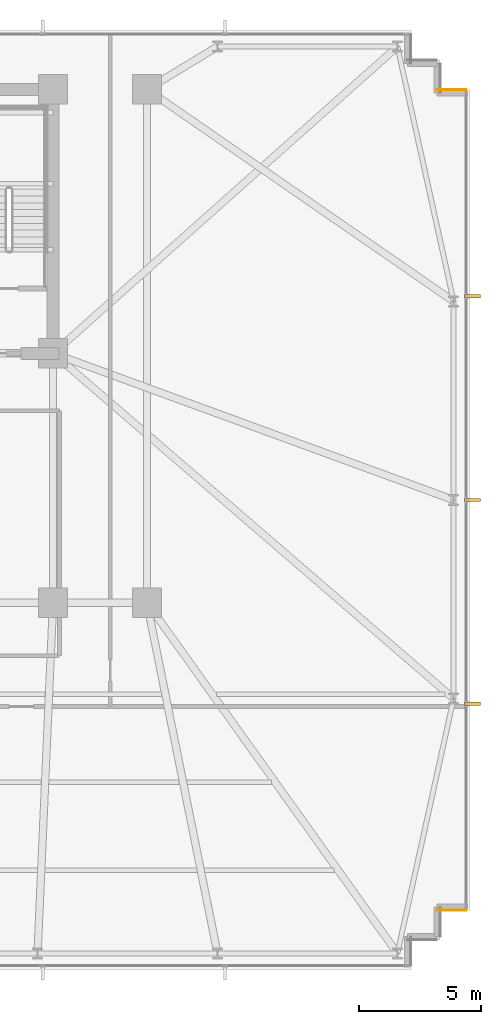
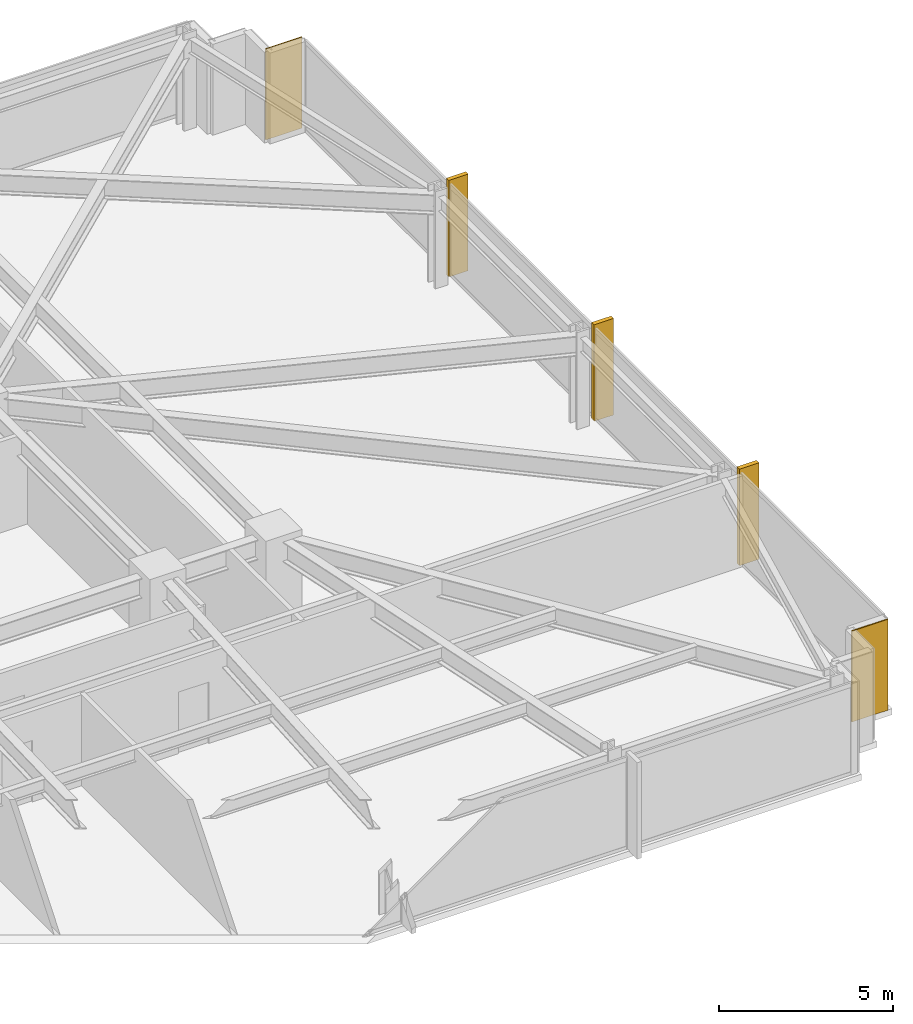
# One storey, part 32 of 32: 3 shading devices, 2 coverings.
"""IFC4 building model written with IfcOpenShell, lengths in metres."""

import ifcopenshell
import ifcopenshell.guid

model = None  # the IFC model being written
_history = None  # IfcOwnerHistory: only IFC2X3 demands one
_inside = {}  # id of a spatial element -> (the spatial element, [elements in it])
_under = {}  # id of a project, library or spatial element -> (it, [spatial elements below it])
_declared = {}  # id of a project -> (the project, [libraries it declares])
_typed = {}  # id of a type object -> (the type object, [elements of that type])
_made_of = {}  # id of a material, layer set ... -> (it, [elements and type objects made of it])


def new_model(schema):
    """Start an empty IFC model of exactly this schema.

    Asked for "IFC4X3", IfcOpenShell would pick the latest addendum, in which some entities
    have other attributes; the version numbers below select the first issue.
    IFC2X3 requires an IfcOwnerHistory on every rooted entity: one is made here for all.
    """
    global model, _history
    if schema == "IFC4X3":
        model = ifcopenshell.file(schema_version=(4, 3, 0, 0))
    else:
        model = ifcopenshell.file(schema=schema)
    _inside.clear()
    _under.clear()
    _declared.clear()
    _typed.clear()
    _made_of.clear()
    _history = None
    if model.schema == "IFC2X3":
        org = make("IfcOrganization", Name="unknown")
        user = make(
            "IfcPersonAndOrganization",
            ThePerson=make("IfcPerson", FamilyName="unknown"),
            TheOrganization=org,
        )
        app = make(
            "IfcApplication",
            ApplicationDeveloper=org,
            Version="unknown",
            ApplicationFullName="unknown",
            ApplicationIdentifier="unknown",
        )
        _history = make(
            "IfcOwnerHistory",
            OwningUser=user,
            OwningApplication=app,
            ChangeAction="ADDED",
            CreationDate=0,
        )
    return model


def make(cls, **values):
    """One entity of the class cls with the attributes given. An attribute that is None is left unset."""
    return model.create_entity(
        cls, **{name: value for name, value in values.items() if value is not None}
    )


def rooted(cls, **values):
    """An entity with a GlobalId (a new one), such as an element, a storey or a relation."""
    return make(cls, GlobalId=ifcopenshell.guid.new(), OwnerHistory=_history, **values)


def si_unit(unit_type, name, prefix=None):
    """IfcSIUnit, for example si_unit("LENGTHUNIT", "METRE", prefix="MILLI")."""
    return make("IfcSIUnit", UnitType=unit_type, Prefix=prefix, Name=name)


def assignment(units):
    """IfcUnitAssignment: the units of a project."""
    return None if units is None else make("IfcUnitAssignment", Units=units)


def point(xyz):
    """IfcCartesianPoint."""
    return None if xyz is None else make("IfcCartesianPoint", Coordinates=xyz)


def direction(xyz):
    """IfcDirection."""
    return None if xyz is None else make("IfcDirection", DirectionRatios=xyz)


def frame(location, z_axis=None, x_axis=None):
    """IfcAxis2Placement3D, a coordinate frame: its origin and axes. An axis left out is left unset."""
    return make(
        "IfcAxis2Placement3D",
        Location=point(location),
        Axis=direction(z_axis),
        RefDirection=direction(x_axis),
    )


def frame_2d(location, x_axis=None):
    """IfcAxis2Placement2D, a coordinate frame in the plane: its origin and x axis."""
    return make(
        "IfcAxis2Placement2D", Location=point(location), RefDirection=direction(x_axis)
    )


def origin():
    """The frame at (0, 0, 0) with its axes left unset."""
    return frame((0.0, 0.0, 0.0))


def origin_2d():
    """The frame at (0, 0) in the plane with its x axis left unset."""
    return frame_2d((0.0, 0.0))


def place(relative_to, where):
    """IfcLocalPlacement: puts the frame where relative to a parent placement (None: the world)."""
    return make(
        "IfcLocalPlacement", PlacementRelTo=relative_to, RelativePlacement=where
    )


def context(
    kind, dimensions, precision=None, world=None, true_north=None, identifier=None
):
    """IfcGeometricRepresentationContext, for example the 3D "Model" context."""
    return make(
        "IfcGeometricRepresentationContext",
        ContextIdentifier=identifier,
        ContextType=kind,
        CoordinateSpaceDimension=dimensions,
        Precision=precision,
        WorldCoordinateSystem=world,
        TrueNorth=true_north,
    )


def subcontext(parent, identifier, kind, view, scale=None):
    """IfcGeometricRepresentationSubContext, for example "Body" below "Model"."""
    return make(
        "IfcGeometricRepresentationSubContext",
        ContextIdentifier=identifier,
        ContextType=kind,
        ParentContext=parent,
        TargetScale=scale,
        TargetView=view,
    )


def project(units=None, contexts=None):
    """IfcProject with its units and contexts."""
    return rooted(
        "IfcProject",
        Name="project",
        RepresentationContexts=contexts,
        UnitsInContext=assignment(units),
    )


def spatial(cls, under=None, at=None, **own):
    """A site, building, storey or space (cls), placed at a placement, below another one or the project."""
    s = rooted(cls, ObjectPlacement=at, **own)
    if under is not None:
        _under.setdefault(under.id(), (under, []))[1].append(s)
    return s


def profile(cls, at=None, kind="AREA", **sizes):
    """A parametric profile (cls). Its sizes go by their IFC names, for example OverallWidth=200.0."""
    return make(cls, ProfileType=kind, Position=at, **sizes)


def rectangle(**sizes):
    """IfcRectangleProfileDef."""
    return profile("IfcRectangleProfileDef", **sizes)


def extrude(swept, where, along, depth):
    """IfcExtrudedAreaSolid: the profile swept, set in the frame where, extruded along a direction by depth."""
    return make(
        "IfcExtrudedAreaSolid",
        SweptArea=swept,
        Position=where,
        ExtrudedDirection=direction(along),
        Depth=depth,
    )


def shape(context_of_items, identifier, shape_type, items):
    """IfcShapeRepresentation: the items that make up one representation, for example the "Body"."""
    return make(
        "IfcShapeRepresentation",
        ContextOfItems=context_of_items,
        RepresentationIdentifier=identifier,
        RepresentationType=shape_type,
        Items=items,
    )


def material(Name=None, Category=None):
    """IfcMaterial."""
    return make("IfcMaterial", Name=Name, Category=Category)


def layer(
    of_material, thickness, ventilated=None, Name=None, Category=None, Priority=None
):
    """IfcMaterialLayer: one layer of a wall or slab, of a material (None: an air gap)."""
    return make(
        "IfcMaterialLayer",
        Material=of_material,
        LayerThickness=thickness,
        IsVentilated=ventilated,
        Name=Name,
        Category=Category,
        Priority=Priority,
    )


def layer_set(layers, Name=None):
    """IfcMaterialLayerSet."""
    return make("IfcMaterialLayerSet", MaterialLayers=layers, LayerSetName=Name)


def made_of(thing, what):
    """Note that an element or type object is made of a material, layer set ...; save() writes the relation."""
    if what is not None:
        _made_of.setdefault(what.id(), (what, []))[1].append(thing)
    return thing


def type_object(cls, material=None, **own):
    """A type object (cls), such as IfcWallType, which elements share."""
    return made_of(rooted(cls, **own), material)


def element(
    cls,
    number,
    at=None,
    inside=None,
    cuts=None,
    type_object=None,
    material=None,
    context=None,
    identifier="Body",
    shape_type=None,
    held_by="IfcProductDefinitionShape",
    body=None,
    shapes=None,
    **own,
):
    """One element of the class cls, such as IfcWall. Its Tag is "e" and its number.

    at: its placement. inside: the storey or other place that contains it. cuts: it is an
    opening in that element (IfcRelVoidsElement). A single representation is given by context,
    identifier, shape_type and body (its items); several are given by shapes. held_by: the class
    of the entity that holds the representations. save() writes the other relations.
    """
    e = rooted(cls, Tag="e%d" % number, ObjectPlacement=at, **own)
    if body is not None:
        shapes = [shape(context, identifier, shape_type, body)]
    if shapes is not None:
        e.Representation = make(held_by, Representations=shapes)
    if inside is not None:
        _inside.setdefault(inside.id(), (inside, []))[1].append(e)
    if cuts is not None:
        rooted(
            "IfcRelVoidsElement", RelatingBuildingElement=cuts, RelatedOpeningElement=e
        )
    if type_object is not None:
        _typed.setdefault(type_object.id(), (type_object, []))[1].append(e)
    return made_of(e, material)


def aggregate(whole, parts):
    """IfcRelAggregates: a whole, such as a stair, and the parts it consists of."""
    return rooted("IfcRelAggregates", RelatingObject=whole, RelatedObjects=parts)


def save(model, path):
    """Write the relations noted so far, then the file.

    IfcRelAggregates (storeys below a building ...), IfcRelContainedInSpatialStructure (elements
    in a storey), IfcRelDefinesByType, IfcRelAssociatesMaterial and IfcRelDeclares: one each for
    every whole, place, type object, material and project.
    """
    for whole, parts in _under.values():
        aggregate(whole, parts)
    for where, things in _inside.values():
        rooted(
            "IfcRelContainedInSpatialStructure",
            RelatedElements=things,
            RelatingStructure=where,
        )
    for kind, things in _typed.values():
        rooted("IfcRelDefinesByType", RelatedObjects=things, RelatingType=kind)
    for what, things in _made_of.values():
        rooted("IfcRelAssociatesMaterial", RelatedObjects=things, RelatingMaterial=what)
    for by, libraries in _declared.values():
        rooted("IfcRelDeclares", RelatingContext=by, RelatedDefinitions=libraries)
    model.write(path)


model = new_model("IFC4")

# Units and contexts
model_context = context("Model", 3, precision=1e-05, world=origin(), true_north=direction((0.0, 1.0)))
body_context = subcontext(model_context, "Body", "Model", "MODEL_VIEW")
ifc_project = project(units=[si_unit("LENGTHUNIT", "METRE"), si_unit("AREAUNIT", "SQUARE_METRE"), si_unit("VOLUMEUNIT", "CUBIC_METRE"), si_unit("PLANEANGLEUNIT", "RADIAN"), si_unit("MASSUNIT", "GRAM", prefix="KILO")], contexts=[model_context])

# Site, building, storey
site_placement = place(None, origin())
site = spatial("IfcSite", under=ifc_project, at=site_placement, CompositionType="ELEMENT")
building_placement = place(site_placement, origin())
building = spatial("IfcBuilding", under=site, at=building_placement, Name="Yelkora Congress Tower", CompositionType="ELEMENT")
storey_placement = place(building_placement, frame((0.0, 0.0, 44.0)))
storey = spatial("IfcBuildingStorey", under=building, at=storey_placement, Name="L10", CompositionType="ELEMENT", Elevation=44.0)

# Coverings
ifc_material_1 = material(Name="Anatolian bush-hammered limestone", Category="masonry")
ifc_layer_1 = layer(ifc_material_1, 0.0400390625)
ifc_layer_set_1 = layer_set([ifc_layer_1], Name="Anatolian bush-hammered limestone")
covering_type = type_object("IfcCoveringType", Name="COV-CLAD-SPANDREL-40", PredefinedType="CLADDING", material=ifc_layer_set_1)
for number, where, z_axis, x_axis, name in (
    (1, (69.4599609375, 46.195068359375, 0.0), (0.0, 0.0, 1.0), (1.0, 0.0, 0.0), "L10 Anatolian Limestone Cladding EW-L10-SR14"),
    (2, (70.659912109375, 12.60498046875, 0.0), (0.0, 0.0, 1.0), (-1.0, 0.0, 0.0), "L10 Anatolian Limestone Cladding EW-L10-SR16"),
):
    element("IfcCovering", number, at=place(storey_placement, frame(where, z_axis=z_axis, x_axis=x_axis)), inside=storey, type_object=covering_type, Name=name, PredefinedType="CLADDING", context=body_context, shape_type="SweptSolid", body=[
        extrude(rectangle(XDim=1.199951171875, YDim=0.0400390625, at=frame_2d((0.60009765625, 0.0))), origin(), (0.0, 0.0, 1.0), 3.179931640625),
    ])

# Shading devices
ifc_material_2 = material(Name="Champagne anodised aluminium", Category="aluminium")
ifc_layer_2 = layer(ifc_material_2, 3.39990234375)
ifc_layer_set_2 = layer_set([ifc_layer_2], Name="Champagne anodised aluminium")
shading_device_type = type_object("IfcShadingDeviceType", Name="SHD-FIN-ALU-640", PredefinedType="USERDEFINED", material=ifc_layer_set_2)
for number, where, z_axis, x_axis, name in (
    (3, (70.919921875, 37.72998046875, -0.030029296875), (0.0, 0.0, 1.0), (0.0, -1.0, 0.0), "L10 Vertical Anodised Solar Fin 15-1"),
    (4, (70.919921875, 29.39990234375, -0.030029296875), (0.0, 0.0, 1.0), (0.0, -1.0, 0.0), "L10 Vertical Anodised Solar Fin 15-2"),
    (5, (70.919921875, 21.070068359375, -0.030029296875), (0.0, 0.0, 1.0), (0.0, -1.0, 0.0), "L10 Vertical Anodised Solar Fin 15-3"),
):
    element("IfcShadingDevice", number, at=place(storey_placement, frame(where, z_axis=z_axis, x_axis=x_axis)), inside=storey, type_object=shading_device_type, Name=name, ObjectType="FIN", PredefinedType="USERDEFINED", context=body_context, shape_type="SweptSolid", body=[
        extrude(rectangle(XDim=0.139892578125, YDim=0.639892578125, at=origin_2d()), origin(), (0.0, 0.0, 1.0), 3.3798828125),
    ])

save(model, "model.ifc")
